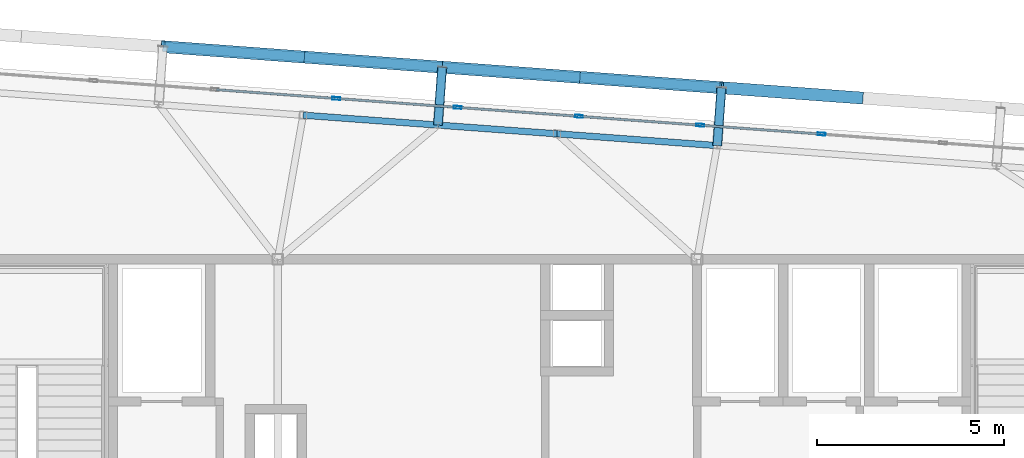
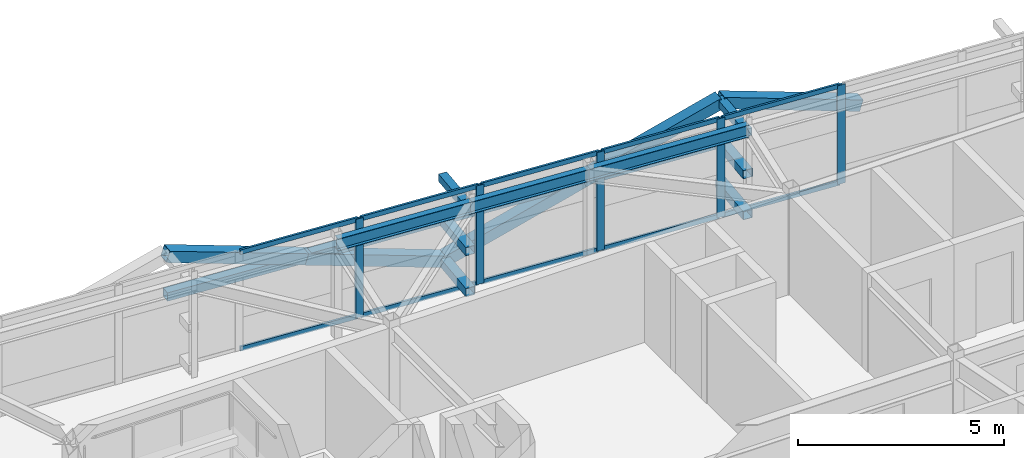
# One storey, part 27 of 42: 28 members, 3 beams, 1 element without a shape of its own.
"""IFC4 building model written with IfcOpenShell, lengths in metres."""

from ifc_helpers import new_model, si_unit, direction, frame, origin, origin_2d, place, context, subcontext, project, spatial, hollow_rectangle, i_section, extrude, source, transform, mapped, material, layer, layer_set, material_profile, profile_set, type_object, element, aggregate, save


model = new_model("IFC4")

# Units and contexts
model_context = context("Model", 3, precision=1e-05, world=origin(), true_north=direction((0.0, 1.0)))
body_context = subcontext(model_context, "Body", "Model", "MODEL_VIEW")
ifc_project = project(units=[si_unit("LENGTHUNIT", "METRE"), si_unit("AREAUNIT", "SQUARE_METRE"), si_unit("VOLUMEUNIT", "CUBIC_METRE"), si_unit("PLANEANGLEUNIT", "RADIAN"), si_unit("MASSUNIT", "GRAM", prefix="KILO")], contexts=[model_context])

# Site, building, storey
site_placement = place(None, origin())
site = spatial("IfcSite", under=ifc_project, at=site_placement, CompositionType="ELEMENT")
building_placement = place(site_placement, origin())
building = spatial("IfcBuilding", under=site, at=building_placement, Name="Taldren Reach Tower", CompositionType="ELEMENT")
storey_placement = place(building_placement, frame((0.0, 0.0, 224.0)))
storey = spatial("IfcBuildingStorey", under=building, at=storey_placement, Name="L68", CompositionType="ELEMENT", Elevation=224.0)

# Members
ifc_material_1 = material(Name="Steel Gr 350 (C350L0)", Category="steel")
ifc_material_profile_1 = material_profile(ifc_material_1, hollow_rectangle(XDim=0.25, YDim=0.25, WallThickness=0.010009765625, at=origin_2d()), Name="250x250x10.0SHS")
ifc_profile_set_1 = profile_set([ifc_material_profile_1], Name="Steel Gr 350 (C350L0)")
member_type_1 = type_object("IfcMemberType", Name="MB-POST250", PredefinedType="POST", material=ifc_profile_set_1)
shared_shape_1 = source(origin(), body_context, "Body", "SweptSolid", [
    extrude(hollow_rectangle(XDim=0.25, YDim=0.25, WallThickness=0.010009765625, at=origin_2d()), origin(), (0.0, 0.0, 1.0), 1.550048828125),
])
for number, where, z_axis, x_axis, name in (
    (1, (32.279541015625, 35.583251953125, 0.219970703125), (0.07323929162, 0.997314396849, 0.0), (-0.997314396849, 0.07323929162, 0.0), "Exoskeleton base diaphragm tie strut B5-N3 L68"),
    (2, (39.739501953125, 35.035400390625, 0.219970703125), (0.07323929162, 0.997314396849, 0.0), (-0.997314396849, 0.07323929162, 0.0), "Exoskeleton base diaphragm tie strut B5-N4 L68"),
    (3, (32.279541015625, 35.583251953125, 1.43505859375), (0.07323929162, 0.997314396849, 0.0), (-0.997314396849, 0.07323929162, 0.0), "Exoskeleton mid-tier diaphragm tie B5-N3 L68"),
    (4, (39.739501953125, 35.035400390625, 1.43505859375), (0.07323929162, 0.997314396849, 0.0), (-0.997314396849, 0.07323929162, 0.0), "Exoskeleton mid-tier diaphragm tie B5-N4 L68"),
):
    element("IfcMember", number, at=place(storey_placement, frame(where, z_axis=z_axis, x_axis=x_axis)), inside=storey, type_object=member_type_1, Name=name, PredefinedType="POST", context=body_context, shape_type="MappedRepresentation", body=[
        mapped(shared_shape_1, transform((0.0, 0.0, 0.0), scale=1.0)),
    ])
ifc_material_2 = material(Name="Steel Gr 450 (C450L0)", Category="steel")
ifc_material_profile_2 = material_profile(ifc_material_2, hollow_rectangle(XDim=0.219970703125, YDim=0.219970703125, WallThickness=0.00830078125, at=origin_2d()), Name="220x220x8.2SHS")
ifc_profile_set_2 = profile_set([ifc_material_profile_2], Name="Steel Gr 450 (C450L0)")
member_type_2 = type_object("IfcMemberType", Name="MB-TIE219", PredefinedType="STRUT", material=ifc_profile_set_2)
shared_shape_2 = source(origin(), body_context, "Body", "SweptSolid", [
    extrude(hollow_rectangle(XDim=0.219970703125, YDim=0.219970703125, WallThickness=0.00830078125, at=origin_2d()), origin(), (0.0, 0.0, 1.0), 1.550048828125),
])
for number, where, z_axis, x_axis, name in (
    (5, (32.279541015625, 35.583251953125, 2.64990234375), (0.07323929162, 0.997314396849, 0.0), (-0.997314396849, 0.07323929162, 0.0), "Exoskeleton diaphragm tie strut B5-N3 L68"),
    (6, (39.739501953125, 35.035400390625, 2.64990234375), (0.07323929162, 0.997314396849, 0.0), (-0.997314396849, 0.07323929162, 0.0), "Exoskeleton diaphragm tie strut B5-N4 L68"),
):
    element("IfcMember", number, at=place(storey_placement, frame(where, z_axis=z_axis, x_axis=x_axis)), inside=storey, type_object=member_type_2, Name=name, PredefinedType="STRUT", context=body_context, shape_type="MappedRepresentation", body=[
        mapped(shared_shape_2, transform((0.0, 0.0, 0.0), scale=1.0)),
    ])

# Beams
ifc_material_3 = material(Name="Steel Gr 350 (350PLUS)", Category="steel")
ifc_material_profile_3 = material_profile(ifc_material_3, i_section(OverallWidth=0.172119140625, OverallDepth=0.35888671875, WebThickness=0.008056640625, FlangeThickness=0.012939453125, at=origin_2d()), Name="360UB56.7")
ifc_profile_set_3 = profile_set([ifc_material_profile_3], Name="Steel Gr 350 (350PLUS)")
beam_type = type_object("IfcBeamType", Name="SP-UB360", PredefinedType="SPANDREL", material=ifc_profile_set_3)
shared_shape_3 = source(origin(), body_context, "Body", "SweptSolid", [
    extrude(i_section(OverallWidth=0.172119140625, OverallDepth=0.35888671875, WebThickness=0.008056640625, FlangeThickness=0.012939453125, at=origin_2d()), origin(), (0.0, 0.0, 1.0), 4.2900390625),
])
beam_1_placement = place(storey_placement, frame((39.739501953125, 35.035400390625, 2.75048828125), z_axis=(-0.997314292471, 0.073240712948, 0.0), x_axis=(-0.073240712948, -0.997314292471, 0.0)))
element("IfcBeam", 7, at=beam_1_placement, inside=storey, type_object=beam_type, Name="Perimeter spandrel B5 N4-PJN2 L68", PredefinedType="SPANDREL", context=body_context, shape_type="MappedRepresentation", body=[
    mapped(shared_shape_3, transform((0.0, 0.0, 0.0), scale=1.0)),
])
shared_shape_4 = source(origin(), body_context, "Body", "SweptSolid", [
    extrude(i_section(OverallWidth=0.172119140625, OverallDepth=0.35888671875, WebThickness=0.008056640625, FlangeThickness=0.012939453125, at=origin_2d()), origin(), (0.0, 0.0, 1.0), 3.18994140625),
])
beam_2_placement = place(storey_placement, frame((35.4609375, 35.349609375, 2.75048828125), z_axis=(-0.99731412404, 0.073243006424, 0.0), x_axis=(-0.073243006424, -0.99731412404, 0.0)))
element("IfcBeam", 8, at=beam_2_placement, inside=storey, type_object=beam_type, Name="Perimeter spandrel B5 PJN2-N3 L68", PredefinedType="SPANDREL", context=body_context, shape_type="MappedRepresentation", body=[
    mapped(shared_shape_4, transform((0.0, 0.0, 0.0), scale=1.0)),
])
shared_shape_5 = source(origin(), body_context, "Body", "SweptSolid", [
    extrude(i_section(OverallWidth=0.172119140625, OverallDepth=0.35888671875, WebThickness=0.008056640625, FlangeThickness=0.012939453125, at=origin_2d()), origin(), (0.0, 0.0, 1.0), 3.610107421875),
])
beam_3_placement = place(storey_placement, frame((32.279541015625, 35.583251953125, 2.75048828125), z_axis=(-0.997314240042, 0.073241426864, 0.0), x_axis=(-0.073241426864, -0.997314240042, 0.0)))
element("IfcBeam", 9, at=beam_3_placement, inside=storey, type_object=beam_type, Name="Perimeter spandrel B5 N3-PJN1 L68", PredefinedType="SPANDREL", context=body_context, shape_type="MappedRepresentation", body=[
    mapped(shared_shape_5, transform((0.0, 0.0, 0.0), scale=1.0)),
])

# Members
ifc_material_profile_4 = material_profile(ifc_material_2, hollow_rectangle(XDim=0.324951171875, YDim=0.324951171875, WallThickness=0.0126953125, at=origin_2d()), Name="325x325x12.7SHS")
ifc_profile_set_4 = profile_set([ifc_material_profile_4], Name="Steel Gr 450 (C450L0)")
member_type_3 = type_object("IfcMemberType", Name="MB-BR324", PredefinedType="BRACE", material=ifc_profile_set_4)
shared_shape_6 = source(origin(), body_context, "Body", "SweptSolid", [
    extrude(hollow_rectangle(XDim=0.324951171875, YDim=0.324951171875, WallThickness=0.0126953125, at=origin_2d()), origin(), (0.0, 0.0, 1.0), 3.932373046875),
])
for number, where, z_axis, x_axis, name in (
    (10, (32.39306640625, 37.129150390625, 0.219970703125), (-0.948511132845, 0.069657644394, 0.308989390507), (-0.07324169103, -0.997314220642, 0.0), "Exoskeleton Diagrid Brace B5-N2 L68"),
    (11, (28.6630859375, 37.403076171875, 1.43505859375), (-0.948529326954, 0.06965898055, 0.308933232813), (-0.07324169103, -0.997314220642, 0.0), "Exoskeleton Diagrid Brace B5-N2 L68"),
    (12, (32.39306640625, 37.129150390625, 0.219970703125), (0.948511132845, -0.069657644394, 0.308989390507), (0.07324169103, 0.997314220642, 0.0), "Exoskeleton Diagrid Brace B5-N3 L68"),
    (13, (36.123046875, 36.855224609375, 1.43505859375), (0.948529326954, -0.06965898055, 0.308933232813), (0.07324169103, 0.997314220642, 0.0), "Exoskeleton Diagrid Brace B5-N3 L68"),
    (14, (43.5830078125, 36.307373046875, 1.43505859375), (-0.948529326954, 0.06965898055, 0.308933232813), (-0.07324169103, -0.997314220642, 0.0), "Exoskeleton Diagrid Brace B5-N4 L68"),
):
    element("IfcMember", number, at=place(storey_placement, frame(where, z_axis=z_axis, x_axis=x_axis)), inside=storey, type_object=member_type_3, Name=name, PredefinedType="BRACE", context=body_context, shape_type="MappedRepresentation", body=[
        mapped(shared_shape_6, transform((0.0, 0.0, 0.0), scale=1.0)),
    ])
shared_shape_7 = source(origin(), body_context, "Body", "SweptSolid", [
    extrude(hollow_rectangle(XDim=0.25, YDim=0.25, WallThickness=0.010009765625, at=origin_2d()), origin(), (0.0, 0.0, 1.0), 7.47998046875),
])
for number, where, z_axis, x_axis, name in (
    (15, (24.93310546875, 37.677001953125, 1.43505859375), (0.997314220642, -0.07324169103, 0.0), (0.07324169103, 0.997314220642, 0.0), "Exoskeleton mid-height ring chord B5-N2 L68"),
    (16, (32.39306640625, 37.129150390625, 1.43505859375), (0.997314220642, -0.07324169103, 0.0), (0.07324169103, 0.997314220642, 0.0), "Exoskeleton mid-height ring chord B5-N3 L68"),
):
    element("IfcMember", number, at=place(storey_placement, frame(where, z_axis=z_axis, x_axis=x_axis)), inside=storey, type_object=member_type_1, Name=name, PredefinedType="POST", context=body_context, shape_type="MappedRepresentation", body=[
        mapped(shared_shape_7, transform((0.0, 0.0, 0.0), scale=1.0)),
    ])

# Curtain wall, members
ifc_material_4 = material(Name="Aluminium and Low-E Glass Unitised System", Category="aluminium")
ifc_layer = layer(ifc_material_4, 0.159912109375)
ifc_layer_set = layer_set([ifc_layer], Name="Aluminium and Low-E Glass Unitised System")
curtain_wall_type = type_object("IfcCurtainWallType", Name="CW-SYS-6", PredefinedType="NOTDEFINED", material=ifc_layer_set)
curtain_wall_placement = place(storey_placement, origin())
curtain_wall = element("IfcCurtainWall", 17, at=curtain_wall_placement, inside=storey, type_object=curtain_wall_type, Name="Unitised curtain wall CW-L68-N", PredefinedType="NOTDEFINED")
ifc_material_5 = material(Name="Anodised Aluminium 6063-T6", Category="aluminium")
ifc_material_profile_5 = material_profile(ifc_material_5, hollow_rectangle(XDim=0.074951171875, YDim=0.2099609375, WallThickness=0.00439453125, at=origin_2d()), Name="ALU-210x75x4.5RHS")
ifc_profile_set_5 = profile_set([ifc_material_profile_5], Name="Anodised Aluminium 6063-T6")
member_type_4 = type_object("IfcMemberType", Name="CW-MUL-200", PredefinedType="MULLION", material=ifc_profile_set_5)
shared_shape_8 = source(origin(), body_context, "Body", "SweptSolid", [
    extrude(hollow_rectangle(XDim=0.074951171875, YDim=0.2099609375, WallThickness=0.00439453125, at=origin_2d()), origin(), (0.0, 0.0, 1.0), 2.929931640625),
])
member_1_placement = place(storey_placement, frame((42.529541015625, 35.341796875, 0.0), z_axis=(0.0, 0.0, 1.0), x_axis=(-0.073238213716, -0.997314476006, 0.0)))
member_1 = element("IfcMember", 18, at=member_1_placement, type_object=member_type_4, Name="CW-6 mullion 5", PredefinedType="MULLION", context=body_context, shape_type="MappedRepresentation", body=[
    mapped(shared_shape_8, transform((0.0, 0.0, 0.0), scale=1.0)),
])
member_2_placement = place(storey_placement, frame((39.2880859375, 35.579833984375, 0.0), z_axis=(0.0, 0.0, 1.0), x_axis=(-0.073238213716, -0.997314476006, 0.0)))
member_2 = element("IfcMember", 19, at=member_2_placement, type_object=member_type_4, Name="CW-6 mullion 6", PredefinedType="MULLION", context=body_context, shape_type="MappedRepresentation", body=[
    mapped(shared_shape_8, transform((0.0, 0.0, 0.0), scale=1.0)),
])
member_3_placement = place(storey_placement, frame((36.046875, 35.81787109375, 0.0), z_axis=(0.0, 0.0, 1.0), x_axis=(-0.073238213716, -0.997314476006, 0.0)))
member_3 = element("IfcMember", 20, at=member_3_placement, type_object=member_type_4, Name="CW-6 mullion 7", PredefinedType="MULLION", context=body_context, shape_type="MappedRepresentation", body=[
    mapped(shared_shape_8, transform((0.0, 0.0, 0.0), scale=1.0)),
])
member_4_placement = place(storey_placement, frame((32.8056640625, 36.055908203125, 0.0), z_axis=(0.0, 0.0, 1.0), x_axis=(-0.073238213716, -0.997314476006, 0.0)))
member_4 = element("IfcMember", 21, at=member_4_placement, type_object=member_type_4, Name="CW-6 mullion 8", PredefinedType="MULLION", context=body_context, shape_type="MappedRepresentation", body=[
    mapped(shared_shape_8, transform((0.0, 0.0, 0.0), scale=1.0)),
])
member_5_placement = place(storey_placement, frame((29.564453125, 36.2939453125, 0.0), z_axis=(0.0, 0.0, 1.0), x_axis=(-0.073238213716, -0.997314476006, 0.0)))
member_5 = element("IfcMember", 22, at=member_5_placement, type_object=member_type_4, Name="CW-6 mullion 9", PredefinedType="MULLION", context=body_context, shape_type="MappedRepresentation", body=[
    mapped(shared_shape_8, transform((0.0, 0.0, 0.0), scale=1.0)),
])
ifc_material_profile_6 = material_profile(ifc_material_5, hollow_rectangle(XDim=0.06005859375, YDim=0.135009765625, WallThickness=0.00341796875, at=origin_2d()), Name="ALU-135x60x3.5RHS")
ifc_profile_set_6 = profile_set([ifc_material_profile_6], Name="Anodised Aluminium 6063-T6")
member_type_5 = type_object("IfcMemberType", Name="CW-TRN-150", PredefinedType="USERDEFINED", material=ifc_profile_set_6)
shared_shape_9 = source(origin(), body_context, "Body", "SweptSolid", [
    extrude(hollow_rectangle(XDim=0.06005859375, YDim=0.135009765625, WallThickness=0.00341796875, at=origin_2d()), origin(), (0.0, 0.0, 1.0), 3.1748046875),
])
member_6_placement = place(storey_placement, frame((42.491943359375, 35.3447265625, 0.030029296875), z_axis=(-0.997316632709, 0.073208839104, 0.0), x_axis=(-0.073208839104, -0.997316632709, 0.0)))
member_6 = element("IfcMember", 23, at=member_6_placement, type_object=member_type_5, Name="CW-6 transom 5.1", ObjectType="TRANSOM", PredefinedType="USERDEFINED", context=body_context, shape_type="MappedRepresentation", body=[
    mapped(shared_shape_9, transform((0.0, 0.0, 0.0), scale=1.0)),
])
member_7_placement = place(storey_placement, frame((42.491943359375, 35.3447265625, 2.89990234375), z_axis=(-0.997316632709, 0.073208839104, 0.0), x_axis=(-0.073208839104, -0.997316632709, 0.0)))
member_7 = element("IfcMember", 24, at=member_7_placement, type_object=member_type_5, Name="CW-6 transom 5.2", ObjectType="TRANSOM", PredefinedType="USERDEFINED", context=body_context, shape_type="MappedRepresentation", body=[
    mapped(shared_shape_9, transform((0.0, 0.0, 0.0), scale=1.0)),
])
member_8_placement = place(storey_placement, frame((29.52685546875, 36.296630859375, 0.030029296875), z_axis=(-0.997311015151, 0.07328532635, 0.0), x_axis=(-0.07328532635, -0.997311015151, 0.0)))
member_8 = element("IfcMember", 25, at=member_8_placement, type_object=member_type_5, Name="CW-6 transom 9.1", ObjectType="TRANSOM", PredefinedType="USERDEFINED", context=body_context, shape_type="MappedRepresentation", body=[
    mapped(shared_shape_9, transform((0.0, 0.0, 0.0), scale=1.0)),
])
member_9_placement = place(storey_placement, frame((29.52685546875, 36.296630859375, 2.89990234375), z_axis=(-0.997311015151, 0.07328532635, 0.0), x_axis=(-0.07328532635, -0.997311015151, 0.0)))
member_9 = element("IfcMember", 26, at=member_9_placement, type_object=member_type_5, Name="CW-6 transom 9.2", ObjectType="TRANSOM", PredefinedType="USERDEFINED", context=body_context, shape_type="MappedRepresentation", body=[
    mapped(shared_shape_9, transform((0.0, 0.0, 0.0), scale=1.0)),
])
shared_shape_10 = source(origin(), body_context, "Body", "SweptSolid", [
    extrude(hollow_rectangle(XDim=0.06005859375, YDim=0.135009765625, WallThickness=0.00341796875, at=origin_2d()), origin(), (0.0, 0.0, 1.0), 3.175048828125),
])
member_10_placement = place(storey_placement, frame((39.250732421875, 35.582763671875, 0.030029296875), z_axis=(-0.99731704481, 0.073203224877, 0.0), x_axis=(-0.073203224877, -0.99731704481, 0.0)))
member_10 = element("IfcMember", 27, at=member_10_placement, type_object=member_type_5, Name="CW-6 transom 6.1", ObjectType="TRANSOM", PredefinedType="USERDEFINED", context=body_context, shape_type="MappedRepresentation", body=[
    mapped(shared_shape_10, transform((0.0, 0.0, 0.0), scale=1.0)),
])
member_11_placement = place(storey_placement, frame((39.250732421875, 35.582763671875, 2.89990234375), z_axis=(-0.99731704481, 0.073203224877, 0.0), x_axis=(-0.073203224877, -0.99731704481, 0.0)))
member_11 = element("IfcMember", 28, at=member_11_placement, type_object=member_type_5, Name="CW-6 transom 6.2", ObjectType="TRANSOM", PredefinedType="USERDEFINED", context=body_context, shape_type="MappedRepresentation", body=[
    mapped(shared_shape_10, transform((0.0, 0.0, 0.0), scale=1.0)),
])
member_12_placement = place(storey_placement, frame((36.009521484375, 35.82080078125, 0.030029296875), z_axis=(-0.99731704481, 0.073203224877, 0.0), x_axis=(-0.073203224877, -0.99731704481, 0.0)))
member_12 = element("IfcMember", 29, at=member_12_placement, type_object=member_type_5, Name="CW-6 transom 7.1", ObjectType="TRANSOM", PredefinedType="USERDEFINED", context=body_context, shape_type="MappedRepresentation", body=[
    mapped(shared_shape_10, transform((0.0, 0.0, 0.0), scale=1.0)),
])
member_13_placement = place(storey_placement, frame((36.009521484375, 35.82080078125, 2.89990234375), z_axis=(-0.99731704481, 0.073203224877, 0.0), x_axis=(-0.073203224877, -0.99731704481, 0.0)))
member_13 = element("IfcMember", 30, at=member_13_placement, type_object=member_type_5, Name="CW-6 transom 7.2", ObjectType="TRANSOM", PredefinedType="USERDEFINED", context=body_context, shape_type="MappedRepresentation", body=[
    mapped(shared_shape_10, transform((0.0, 0.0, 0.0), scale=1.0)),
])
member_14_placement = place(storey_placement, frame((32.768310546875, 36.05859375, 0.030029296875), z_axis=(-0.997311428111, 0.073279706322, 0.0), x_axis=(-0.073279706322, -0.997311428111, 0.0)))
member_14 = element("IfcMember", 31, at=member_14_placement, type_object=member_type_5, Name="CW-6 transom 8.1", ObjectType="TRANSOM", PredefinedType="USERDEFINED", context=body_context, shape_type="MappedRepresentation", body=[
    mapped(shared_shape_10, transform((0.0, 0.0, 0.0), scale=1.0)),
])
member_15_placement = place(storey_placement, frame((32.768310546875, 36.05859375, 2.89990234375), z_axis=(-0.997311428111, 0.073279706322, 0.0), x_axis=(-0.073279706322, -0.997311428111, 0.0)))
member_15 = element("IfcMember", 32, at=member_15_placement, type_object=member_type_5, Name="CW-6 transom 8.2", ObjectType="TRANSOM", PredefinedType="USERDEFINED", context=body_context, shape_type="MappedRepresentation", body=[
    mapped(shared_shape_10, transform((0.0, 0.0, 0.0), scale=1.0)),
])
aggregate(curtain_wall, [member_1, member_2, member_3, member_4, member_5, member_6, member_7, member_10, member_11, member_12, member_13, member_14, member_15, member_8, member_9])

save(model, "model.ifc")
